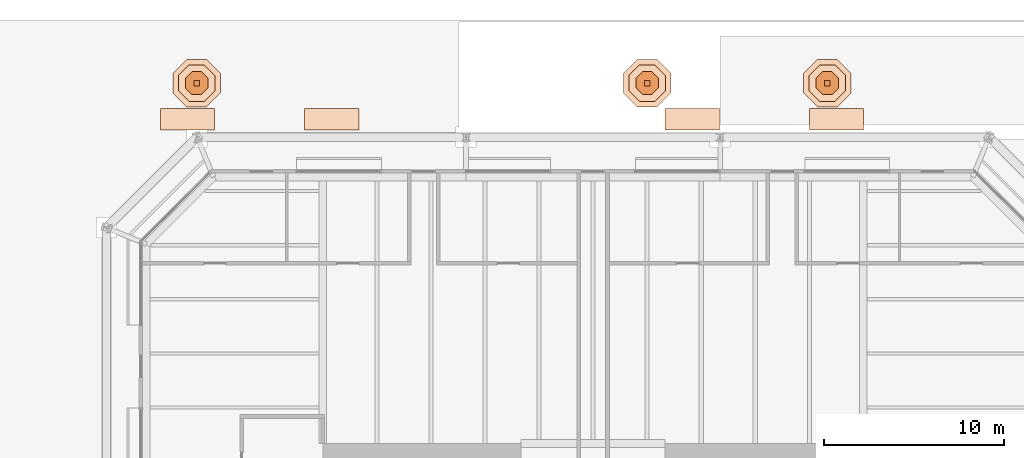
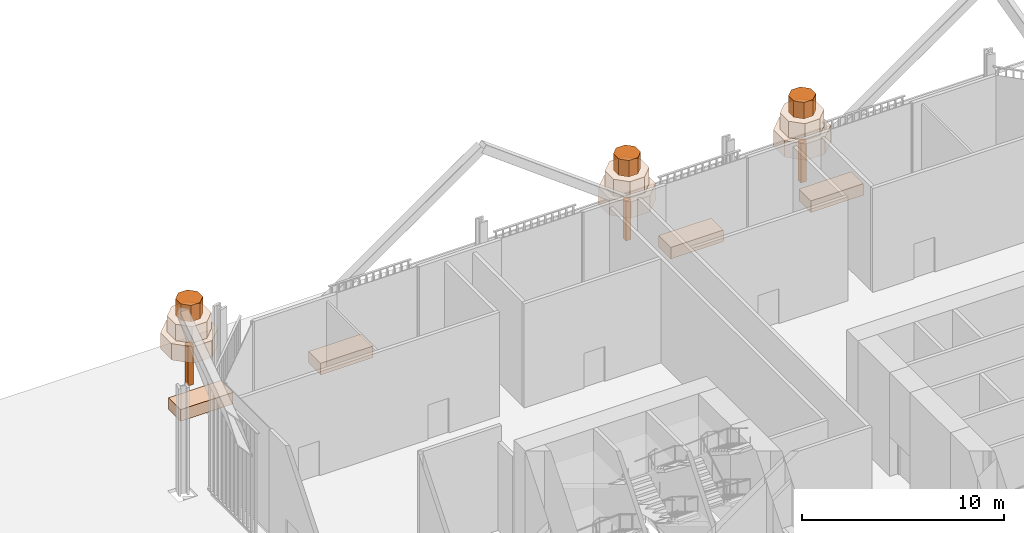
# One storey, part 28 of 28: 16 geographic elements.
"""IFC4 building model written with IfcOpenShell, lengths in metres."""

from ifc_helpers import new_model, si_unit, direction, frame, origin, origin_2d, place, context, subcontext, project, spatial, polyline, rectangle, outline, extrude, material, type_object, element, save


model = new_model("IFC4")

# Units and contexts
model_context = context("Model", 3, precision=1e-05, world=origin(), true_north=direction((0.0, 1.0)))
body_context = subcontext(model_context, "Body", "Model", "MODEL_VIEW")
ifc_project = project(units=[si_unit("LENGTHUNIT", "METRE"), si_unit("AREAUNIT", "SQUARE_METRE"), si_unit("VOLUMEUNIT", "CUBIC_METRE"), si_unit("PLANEANGLEUNIT", "RADIAN"), si_unit("MASSUNIT", "GRAM", prefix="KILO")], contexts=[model_context])

# Site, building, storey
site_placement = place(None, origin())
site = spatial("IfcSite", under=ifc_project, at=site_placement, CompositionType="ELEMENT")
building_placement = place(site_placement, origin())
building = spatial("IfcBuilding", under=site, at=building_placement, Name="Millrace Tower", CompositionType="ELEMENT")
storey_placement = place(building_placement, origin())
storey = spatial("IfcBuildingStorey", under=building, at=storey_placement, Name="L01", CompositionType="ELEMENT", Elevation=0.0)

# Geographic elements
ifc_material_1 = material(Name="Planting shrub bed")
geographic_element_type_1 = type_object("IfcGeographicElementType", Name="Shrub bed", PredefinedType="USERDEFINED", material=ifc_material_1)
for number, where, z_axis, x_axis, name in (
    (1, (-22.5, 28.0, 0.0), (0.0, 0.0, 1.0), (1.0, 0.0, 0.0), "Shrub bed NORTH-0"),
    (2, (-14.5, 28.0, 0.0), (0.0, 0.0, 1.0), (1.0, 0.0, 0.0), "Shrub bed NORTH-1"),
    (3, (5.5, 28.0, 0.0), (0.0, 0.0, 1.0), (1.0, 0.0, 0.0), "Shrub bed NORTH-2"),
    (4, (13.5, 28.0, 0.0), (0.0, 0.0, 1.0), (1.0, 0.0, 0.0), "Shrub bed NORTH-3"),
):
    element("IfcGeographicElement", number, at=place(storey_placement, frame(where, z_axis=z_axis, x_axis=x_axis)), inside=storey, type_object=geographic_element_type_1, Name=name, ObjectType="SHRUB", PredefinedType="USERDEFINED", context=body_context, shape_type="SweptSolid", body=[
        extrude(rectangle(XDim=3.0, YDim=1.199951171875, at=origin_2d()), origin(), (0.0, 0.0, 1.0), 0.699951171875),
    ])
ifc_material_2 = material(Name="Planting tree crown")
geographic_element_type_2 = type_object("IfcGeographicElementType", Name="Tree crown", PredefinedType="USERDEFINED", material=ifc_material_2)
placement_1 = place(storey_placement, frame((0.0, 0.0, 2.219970703125)))
element("IfcGeographicElement", 5, at=placement_1, inside=storey, type_object=geographic_element_type_2, Name="Tree crown NORTH-0 tier 1", ObjectType="TREE", PredefinedType="USERDEFINED", context=body_context, shape_type="SweptSolid", body=[
    extrude(outline(polyline([(-20.678955078125, 30.547119140625), (-21.452880859375, 31.321044921875), (-22.547119140625, 31.321044921875), (-23.321044921875, 30.547119140625), (-23.321044921875, 29.452880859375), (-22.547119140625, 28.678955078125), (-21.452880859375, 28.678955078125), (-20.678955078125, 29.452880859375), (-20.678955078125, 30.547119140625)])), origin(), (0.0, 0.0, 1.0), 0.989990234375),
])
placement_2 = place(storey_placement, frame((0.0, 0.0, 3.2099609375)))
element("IfcGeographicElement", 6, at=placement_2, inside=storey, type_object=geographic_element_type_2, Name="Tree crown NORTH-0 tier 2", ObjectType="TREE", PredefinedType="USERDEFINED", context=body_context, shape_type="SweptSolid", body=[
    extrude(outline(polyline([(-20.983642578125, 30.4208984375), (-21.5791015625, 31.016357421875), (-22.4208984375, 31.016357421875), (-23.016357421875, 30.4208984375), (-23.016357421875, 29.5791015625), (-22.4208984375, 28.983642578125), (-21.5791015625, 28.983642578125), (-20.983642578125, 29.5791015625), (-20.983642578125, 30.4208984375)])), origin(), (0.0, 0.0, 1.0), 0.989990234375),
])
placement_3 = place(storey_placement, frame((0.0, 0.0, 4.199951171875)))
element("IfcGeographicElement", 7, at=placement_3, inside=storey, type_object=geographic_element_type_2, Name="Tree crown NORTH-0 tier 3", ObjectType="TREE", PredefinedType="USERDEFINED", context=body_context, shape_type="SweptSolid", body=[
    extrude(outline(polyline([(-21.369873046875, 30.260986328125), (-21.739013671875, 30.630126953125), (-22.260986328125, 30.630126953125), (-22.630126953125, 30.260986328125), (-22.630126953125, 29.739013671875), (-22.260986328125, 29.369873046875), (-21.739013671875, 29.369873046875), (-21.369873046875, 29.739013671875), (-21.369873046875, 30.260986328125)])), origin(), (0.0, 0.0, 1.0), 0.989990234375),
])
element("IfcGeographicElement", 8, at=placement_1, inside=storey, type_object=geographic_element_type_2, Name="Tree crown NORTH-1 tier 1", ObjectType="TREE", PredefinedType="USERDEFINED", context=body_context, shape_type="SweptSolid", body=[
    extrude(outline(polyline([(4.321044921875, 30.547119140625), (3.547119140625, 31.321044921875), (2.452880859375, 31.321044921875), (1.678955078125, 30.547119140625), (1.678955078125, 29.452880859375), (2.452880859375, 28.678955078125), (3.547119140625, 28.678955078125), (4.321044921875, 29.452880859375), (4.321044921875, 30.547119140625)])), origin(), (0.0, 0.0, 1.0), 0.989990234375),
])
element("IfcGeographicElement", 9, at=placement_2, inside=storey, type_object=geographic_element_type_2, Name="Tree crown NORTH-1 tier 2", ObjectType="TREE", PredefinedType="USERDEFINED", context=body_context, shape_type="SweptSolid", body=[
    extrude(outline(polyline([(4.016357421875, 30.4208984375), (3.4208984375, 31.016357421875), (2.5791015625, 31.016357421875), (1.983642578125, 30.4208984375), (1.983642578125, 29.5791015625), (2.5791015625, 28.983642578125), (3.4208984375, 28.983642578125), (4.016357421875, 29.5791015625), (4.016357421875, 30.4208984375)])), origin(), (0.0, 0.0, 1.0), 0.989990234375),
])
element("IfcGeographicElement", 10, at=placement_3, inside=storey, type_object=geographic_element_type_2, Name="Tree crown NORTH-1 tier 3", ObjectType="TREE", PredefinedType="USERDEFINED", context=body_context, shape_type="SweptSolid", body=[
    extrude(outline(polyline([(3.630126953125, 30.260986328125), (3.260986328125, 30.630126953125), (2.739013671875, 30.630126953125), (2.369873046875, 30.260986328125), (2.369873046875, 29.739013671875), (2.739013671875, 29.369873046875), (3.260986328125, 29.369873046875), (3.630126953125, 29.739013671875), (3.630126953125, 30.260986328125)])), origin(), (0.0, 0.0, 1.0), 0.989990234375),
])
element("IfcGeographicElement", 11, at=placement_1, inside=storey, type_object=geographic_element_type_2, Name="Tree crown NORTH-2 tier 1", ObjectType="TREE", PredefinedType="USERDEFINED", context=body_context, shape_type="SweptSolid", body=[
    extrude(outline(polyline([(14.321044921875, 30.547119140625), (13.547119140625, 31.321044921875), (12.452880859375, 31.321044921875), (11.678955078125, 30.547119140625), (11.678955078125, 29.452880859375), (12.452880859375, 28.678955078125), (13.547119140625, 28.678955078125), (14.321044921875, 29.452880859375), (14.321044921875, 30.547119140625)])), origin(), (0.0, 0.0, 1.0), 0.989990234375),
])
element("IfcGeographicElement", 12, at=placement_2, inside=storey, type_object=geographic_element_type_2, Name="Tree crown NORTH-2 tier 2", ObjectType="TREE", PredefinedType="USERDEFINED", context=body_context, shape_type="SweptSolid", body=[
    extrude(outline(polyline([(14.016357421875, 30.4208984375), (13.4208984375, 31.016357421875), (12.5791015625, 31.016357421875), (11.983642578125, 30.4208984375), (11.983642578125, 29.5791015625), (12.5791015625, 28.983642578125), (13.4208984375, 28.983642578125), (14.016357421875, 29.5791015625), (14.016357421875, 30.4208984375)])), origin(), (0.0, 0.0, 1.0), 0.989990234375),
])
element("IfcGeographicElement", 13, at=placement_3, inside=storey, type_object=geographic_element_type_2, Name="Tree crown NORTH-2 tier 3", ObjectType="TREE", PredefinedType="USERDEFINED", context=body_context, shape_type="SweptSolid", body=[
    extrude(outline(polyline([(13.630126953125, 30.260986328125), (13.260986328125, 30.630126953125), (12.739013671875, 30.630126953125), (12.369873046875, 30.260986328125), (12.369873046875, 29.739013671875), (12.739013671875, 29.369873046875), (13.260986328125, 29.369873046875), (13.630126953125, 29.739013671875), (13.630126953125, 30.260986328125)])), origin(), (0.0, 0.0, 1.0), 0.989990234375),
])
ifc_material_3 = material(Name="Timber trunk", Category="wood")
geographic_element_type_3 = type_object("IfcGeographicElementType", Name="Tree trunk", PredefinedType="USERDEFINED", material=ifc_material_3)
for number, where, z_axis, x_axis, name in (
    (14, (-22.0, 30.0, 0.0), (0.0, 0.0, 1.0), (1.0, 0.0, 0.0), "Tree trunk NORTH-0"),
    (15, (3.0, 30.0, 0.0), (0.0, 0.0, 1.0), (1.0, 0.0, 0.0), "Tree trunk NORTH-1"),
    (16, (13.0, 30.0, 0.0), (0.0, 0.0, 1.0), (1.0, 0.0, 0.0), "Tree trunk NORTH-2"),
):
    element("IfcGeographicElement", number, at=place(storey_placement, frame(where, z_axis=z_axis, x_axis=x_axis)), inside=storey, type_object=geographic_element_type_3, Name=name, ObjectType="TREE", PredefinedType="USERDEFINED", context=body_context, shape_type="SweptSolid", body=[
        extrude(rectangle(XDim=0.300048828125, YDim=0.300048828125, at=origin_2d()), origin(), (0.0, 0.0, 1.0), 2.419921875),
    ])

save(model, "model.ifc")
